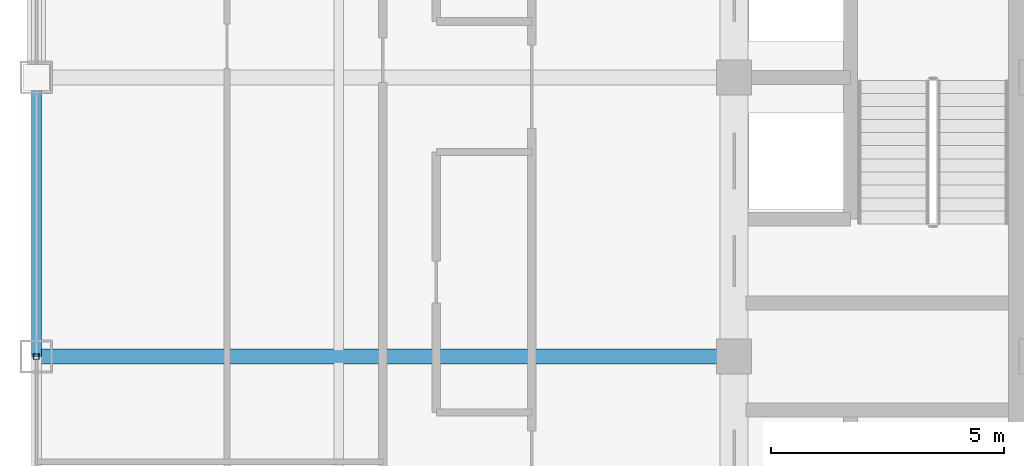
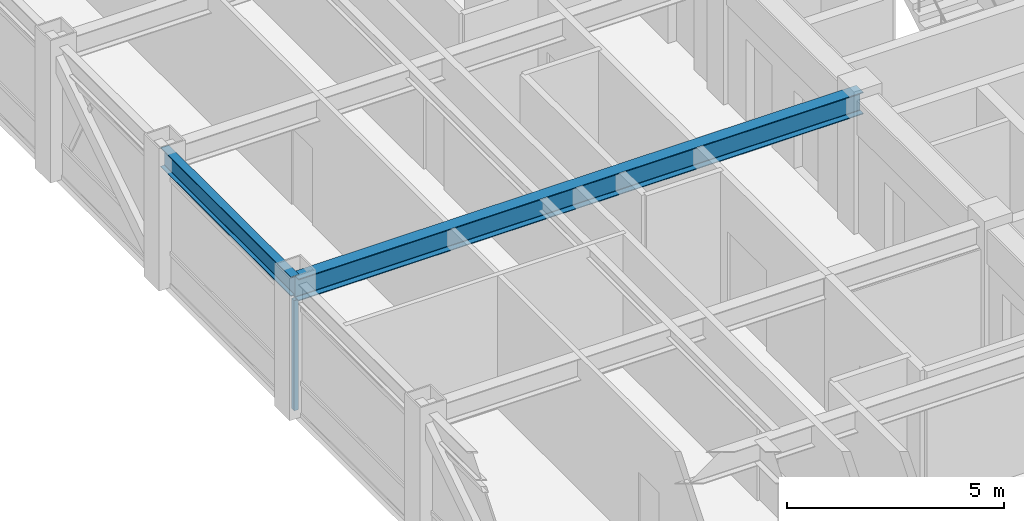
# One storey, part 6 of 29: 2 beams, 1 member, 1 element without a shape of its own.
"""IFC4 building model written with IfcOpenShell, lengths in metres."""

from ifc_helpers import new_model, si_unit, direction, frame, origin, origin_2d, place, context, subcontext, project, spatial, hollow_rectangle, i_section, extrude, source, transform, mapped, material, material_profile, profile_set, type_object, element, aggregate, save


model = new_model("IFC4")

# Units and contexts
model_context = context("Model", 3, precision=1e-05, world=origin(), true_north=direction((0.0, 1.0)))
body_context = subcontext(model_context, "Body", "Model", "MODEL_VIEW")
ifc_project = project(units=[si_unit("LENGTHUNIT", "METRE"), si_unit("AREAUNIT", "SQUARE_METRE"), si_unit("VOLUMEUNIT", "CUBIC_METRE"), si_unit("PLANEANGLEUNIT", "RADIAN"), si_unit("MASSUNIT", "GRAM", prefix="KILO")], contexts=[model_context])

# Site, building, storey
site_placement = place(None, origin())
site = spatial("IfcSite", under=ifc_project, at=site_placement, CompositionType="ELEMENT")
building_placement = place(site_placement, origin())
building = spatial("IfcBuilding", under=site, at=building_placement, Name="Khorayat Bourse Tower", CompositionType="ELEMENT")
storey_placement = place(building_placement, frame((0.0, 0.0, 362.300048828125)))
storey = spatial("IfcBuildingStorey", under=building, at=storey_placement, Name="L86", CompositionType="ELEMENT", Elevation=362.300048828125)

# Beams
ifc_material_1 = material(Name="Steel ASTM A992 Grade 50", Category="steel")
ifc_material_profile_1 = material_profile(ifc_material_1, i_section(OverallWidth=0.214111328125, OverallDepth=0.549072265625, WebThickness=0.0146484375, FlangeThickness=0.023681640625, FilletRadius=0.013916015625, at=origin_2d()), Name="W530X138")
ifc_profile_set_1 = profile_set([ifc_material_profile_1], Name="Steel ASTM A992 Grade 50")
beam_type_1 = type_object("IfcBeamType", Name="BM-SPAN-530", PredefinedType="SPANDREL", material=ifc_profile_set_1)
shared_shape_1 = source(origin(), body_context, "Body", "SweptSolid", [
    extrude(i_section(OverallWidth=0.214111328125, OverallDepth=0.549072265625, WebThickness=0.0146484375, FlangeThickness=0.023681640625, FilletRadius=0.013916015625, at=origin_2d()), origin(), (0.0, 0.0, 1.0), 6.0),
])
beam_1_placement = place(storey_placement, frame((-26.0, 0.0, 3.46533203125), z_axis=(0.0, 1.0, 0.0), x_axis=(-1.0, 0.0, 0.0)))
element("IfcBeam", 1, at=beam_1_placement, inside=storey, type_object=beam_type_1, Name="L86 BM-SPAN-530 BM-L86-SPN-050", PredefinedType="SPANDREL", context=body_context, shape_type="MappedRepresentation", body=[
    mapped(shared_shape_1, transform((0.0, 0.0, 0.0), scale=1.0)),
])
ifc_material_profile_2 = material_profile(ifc_material_1, i_section(OverallWidth=0.324951171875, OverallDepth=0.615966796875, WebThickness=0.013916015625, FlangeThickness=0.021484375, FilletRadius=0.01611328125, at=origin_2d()), Name="W610X174")
ifc_profile_set_2 = profile_set([ifc_material_profile_2], Name="Steel ASTM A992 Grade 50")
beam_type_2 = type_object("IfcBeamType", Name="BM-GIRD-610", PredefinedType="BEAM", material=ifc_profile_set_2)
shared_shape_2 = source(origin(), body_context, "Body", "SweptSolid", [
    extrude(i_section(OverallWidth=0.324951171875, OverallDepth=0.615966796875, WebThickness=0.013916015625, FlangeThickness=0.021484375, FilletRadius=0.01611328125, at=origin_2d()), origin(), (0.0, 0.0, 1.0), 15.0),
])
beam_2_placement = place(storey_placement, frame((-26.0, 0.0, 3.431884765625), z_axis=(1.0, 0.0, 0.0), x_axis=(0.0, 1.0, 0.0)))
element("IfcBeam", 2, at=beam_2_placement, inside=storey, type_object=beam_type_2, Name="L86 BM-GIRD-610 BM-L86-RADX-071", PredefinedType="BEAM", context=body_context, shape_type="MappedRepresentation", body=[
    mapped(shared_shape_2, transform((0.0, 0.0, 0.0), scale=1.0)),
])

# Curtain wall, member
ifc_material_2 = material(Name="Aluminium EN AW-6063 T6", Category="aluminium")
curtain_wall_type = type_object("IfcCurtainWallType", Name="CW-SYS-04", PredefinedType="NOTDEFINED", material=ifc_material_2)
curtain_wall_placement = place(storey_placement, origin())
curtain_wall = element("IfcCurtainWall", 3, at=curtain_wall_placement, inside=storey, type_object=curtain_wall_type, Name="L86 Curtain Wall CW-L86-W1", PredefinedType="NOTDEFINED")
ifc_material_profile_3 = material_profile(ifc_material_2, hollow_rectangle(XDim=0.1201171875, YDim=0.1201171875, WallThickness=0.0048828125, at=origin_2d()), Name="ALU 120x120x5")
ifc_profile_set_3 = profile_set([ifc_material_profile_3], Name="Aluminium EN AW-6063 T6")
member_type = type_object("IfcMemberType", Name="CWM-VERT-120", PredefinedType="MULLION", material=ifc_profile_set_3)
shared_shape_3 = source(origin(), body_context, "Body", "SweptSolid", [
    extrude(hollow_rectangle(XDim=0.1201171875, YDim=0.1201171875, WallThickness=0.0048828125, at=origin_2d()), origin(), (0.0, 0.0, 1.0), 3.08984375),
])
member_placement = place(storey_placement, frame((-26.0, 0.0, 0.0), z_axis=(0.0, 0.0, 1.0), x_axis=(-1.0, 0.0, 0.0)))
member = element("IfcMember", 4, at=member_placement, type_object=member_type, Name="CW-L86-W1 Vertical Mullion 2", PredefinedType="MULLION", context=body_context, shape_type="MappedRepresentation", body=[
    mapped(shared_shape_3, transform((0.0, 0.0, 0.0), scale=1.0)),
])
aggregate(curtain_wall, [member])

save(model, "model.ifc")
